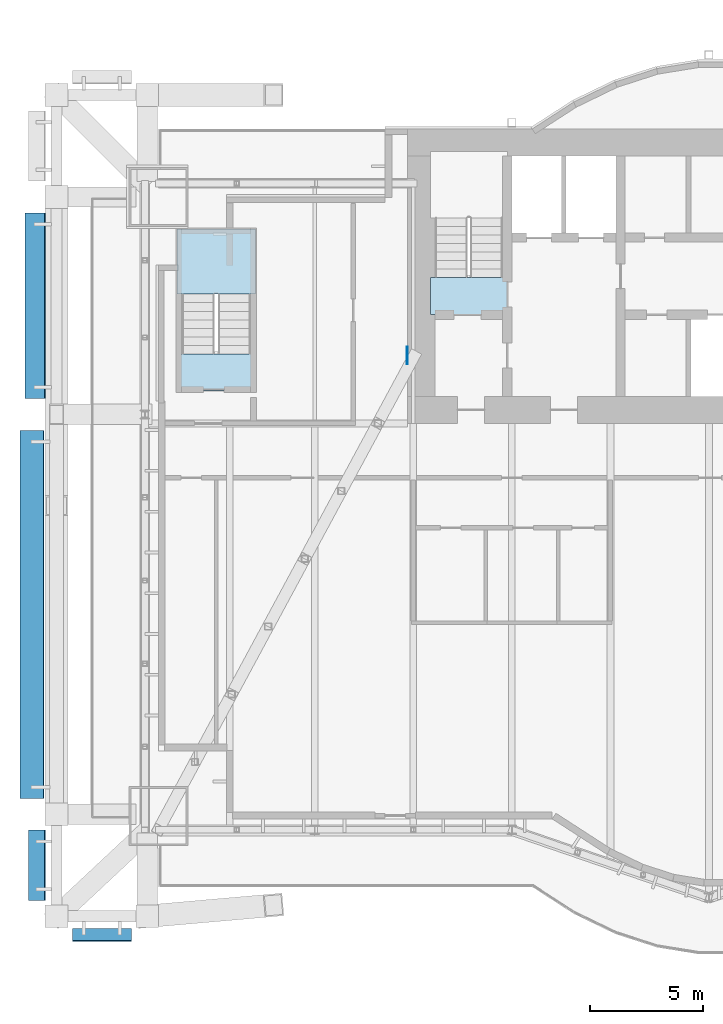
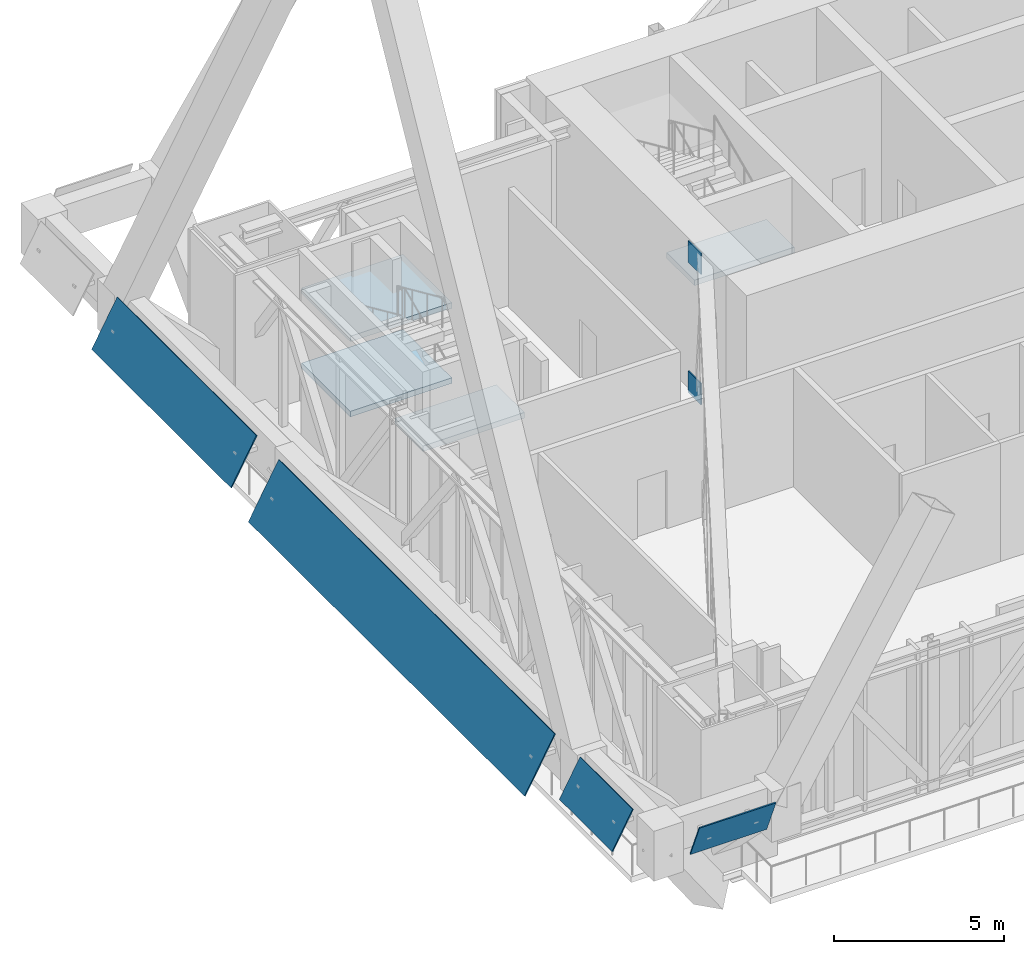
# One storey, part 19 of 30: 6 plates, 4 slabs, 2 elements without a shape of their own.
"""IFC4 building model written with IfcOpenShell, lengths in metres."""

from ifc_helpers import new_model, si_unit, direction, frame, origin, origin_2d, place, context, subcontext, project, spatial, polyline, rectangle, outline, extrude, material, layer, layer_set, type_object, element, aggregate, save


model = new_model("IFC4")

# Units and contexts
model_context = context("Model", 3, precision=1e-05, world=origin(), true_north=direction((0.0, 1.0)))
body_context = subcontext(model_context, "Body", "Model", "MODEL_VIEW")
ifc_project = project(units=[si_unit("LENGTHUNIT", "METRE"), si_unit("AREAUNIT", "SQUARE_METRE"), si_unit("VOLUMEUNIT", "CUBIC_METRE"), si_unit("PLANEANGLEUNIT", "RADIAN"), si_unit("MASSUNIT", "GRAM", prefix="KILO")], contexts=[model_context])

# Site, building, storey
site_placement = place(None, origin())
site = spatial("IfcSite", under=ifc_project, at=site_placement, CompositionType="ELEMENT")
building_placement = place(site_placement, origin())
building = spatial("IfcBuilding", under=site, at=building_placement, Name="Bicima Exchange Tower", CompositionType="ELEMENT")
storey_placement = place(building_placement, frame((0.0, 0.0, 185.5)))
storey = spatial("IfcBuildingStorey", under=building, at=storey_placement, Name="L41", CompositionType="ELEMENT", Elevation=185.5)

# Plates
ifc_material_1 = material(Name="Dark tinted spandrel glass", Category="glass")
ifc_layer_1 = layer(ifc_material_1, 0.0400390625)
ifc_layer_set_1 = layer_set([ifc_layer_1], Name="Dark tinted spandrel glass")
plate_type_1 = type_object("IfcPlateType", Name="Belt fascia glass panel 40", PredefinedType="SHEET", material=ifc_layer_set_1)
plate_1_placement = place(storey_placement, frame((-36.800048828125, -35.28662109375, 4.050048828125), z_axis=(0.0, 0.919715682457, 0.39258510344), x_axis=(1.0, 0.0, 0.0)))
element("IfcPlate", 1, at=plate_1_placement, inside=storey, type_object=plate_type_1, Name="Belt fascia glass panel", PredefinedType="SHEET", context=body_context, shape_type="SweptSolid", body=[
    extrude(outline(polyline([(0.0, 0.0), (2.60009765625, 0.0), (2.60009765625, -1.3917663048388182), (0.0, -1.3917663048388182), (0.0, 0.0)])), origin(), (0.0, 0.0, -1.0), 0.0400390625),
])
plate_2_placement = place(storey_placement, frame((-38.897216796875, -3.699951171875, 3.75), z_axis=(-0.876650248979, 0.0, 0.481128195978), x_axis=(0.0, -1.0, 0.0)))
element("IfcPlate", 2, at=plate_2_placement, inside=storey, type_object=plate_type_1, Name="Belt fascia glass panel", PredefinedType="SHEET", context=body_context, shape_type="SweptSolid", body=[
    extrude(outline(polyline([(0.0, 0.0), (8.199951171875, 0.0), (8.199951171875, 1.8024042391372048), (0.0, 1.8024042391372048), (0.0, 0.0)])), origin(), (0.0, 0.0, -1.0), 0.0400390625),
])
plate_3_placement = place(storey_placement, frame((-39.11181640625, -13.300048828125, 3.449951171875), z_axis=(-0.876674581874, 0.0, 0.481083857031), x_axis=(0.0, -1.0, 0.0)))
element("IfcPlate", 3, at=plate_3_placement, inside=storey, type_object=plate_type_1, Name="Belt fascia glass panel", PredefinedType="SHEET", context=body_context, shape_type="SweptSolid", body=[
    extrude(outline(polyline([(0.0, 0.0), (16.256591796875, 0.0), (16.256591796875, 2.1446121422914213), (0.0, 2.1446121422914213), (0.0, 0.0)])), origin(), (0.0, 0.0, -1.0), 0.0400390625),
])
plate_4_placement = place(storey_placement, frame((-38.732421875, -30.956787109375, 4.050048828125), z_axis=(-0.876685030348, 0.0, 0.481064816386), x_axis=(0.0, -1.0, 0.0)))
element("IfcPlate", 4, at=plate_4_placement, inside=storey, type_object=plate_type_1, Name="Belt fascia glass panel", PredefinedType="SHEET", context=body_context, shape_type="SweptSolid", body=[
    extrude(outline(polyline([(0.0, 0.0), (3.099853515625, 0.0), (3.099853515625, 1.460078879603219), (0.0, 1.460078879603219), (0.0, 0.0)])), origin(), (0.0, 0.0, -1.0), 0.0400390625),
])
ifc_material_2 = material(Name="Steel ASTM A572 Gr 50", Category="steel")
ifc_layer_2 = layer(ifc_material_2, 0.0400390625)
ifc_layer_set_2 = layer_set([ifc_layer_2], Name="Steel ASTM A572 Gr 50")
plate_type_2 = type_object("IfcPlateType", Name="Cast-in plate 40", PredefinedType="SHEET", material=ifc_layer_set_2)
for number, where, z_axis, x_axis, name in (
    (5, (-22.02001953125, -10.0, 4.5810546875), (0.0, 0.0, 1.0), (1.0, 0.0, 0.0), "Cast-in plate at core wall"),
    (6, (-22.02001953125, -10.0, -0.10009765625), (0.0, 0.0, 1.0), (1.0, 0.0, 0.0), "Cast-in plate at core wall"),
):
    element("IfcPlate", number, at=place(storey_placement, frame(where, z_axis=z_axis, x_axis=x_axis)), inside=storey, type_object=plate_type_2, Name=name, PredefinedType="SHEET", context=body_context, shape_type="SweptSolid", body=[
        extrude(rectangle(XDim=0.0400390625, YDim=0.754638671875, at=origin_2d()), origin(), (0.0, 0.0, 1.0), 0.76904296875),
    ])

# Stair, slab
ifc_material_3 = material(Name="Concrete C50/60", Category="concrete")
stair_type = type_object("IfcStairType", Name="Exit stair", PredefinedType="HALF_TURN_STAIR", material=ifc_material_3)
stair_1_placement = place(storey_placement, origin())
stair_1 = element("IfcStair", 7, at=stair_1_placement, inside=storey, type_object=stair_type, Name="L41 West exit stair", PredefinedType="HALF_TURN_STAIR")
ifc_layer_3 = layer(ifc_material_3, 0.199951171875)
ifc_layer_set_3 = layer_set([ifc_layer_3], Name="Concrete C50/60")
slab_type = type_object("IfcSlabType", Name="Stair landing slab", PredefinedType="LANDING", material=ifc_layer_set_3)
slab_1_placement = place(storey_placement, frame((0.0, 0.0, 2.5)))
slab_1 = element("IfcSlab", 8, at=slab_1_placement, type_object=slab_type, Name="ST-W landing 2", PredefinedType="LANDING", context=body_context, shape_type="SweptSolid", body=[
    extrude(outline(polyline([(-17.60009765625, -8.199951171875), (-17.60009765625, -6.550048828125), (-21.0, -6.550048828125), (-21.0, -8.199951171875), (-17.60009765625, -8.199951171875)])), origin(), (0.0, 0.0, 1.0), 0.199951171875),
])
aggregate(stair_1, [slab_1])

# Stair, slabs
stair_2_placement = place(storey_placement, origin())
stair_2 = element("IfcStair", 9, at=stair_2_placement, inside=storey, type_object=stair_type, Name="L41 West end exit stair", PredefinedType="HALF_TURN_STAIR")
slab_2_placement = place(storey_placement, frame((0.0, 0.0, 1.14990234375)))
slab_2 = element("IfcSlab", 10, at=slab_2_placement, type_object=slab_type, Name="ST-WW landing 1", PredefinedType="LANDING", context=body_context, shape_type="SweptSolid", body=[
    extrude(outline(polyline([(-28.72509765625, -7.294921875), (-28.72509765625, -4.425048828125), (-32.175048828125, -4.425048828125), (-32.175048828125, -7.294921875), (-28.72509765625, -7.294921875)])), origin(), (0.0, 0.0, 1.0), 0.2001953125),
])
slab_3_placement = place(storey_placement, frame((0.0, 0.0, 2.5)))
slab_3 = element("IfcSlab", 11, at=slab_3_placement, type_object=slab_type, Name="ST-WW landing 2", PredefinedType="LANDING", context=body_context, shape_type="SweptSolid", body=[
    extrude(outline(polyline([(-28.72509765625, -11.574951171875), (-28.72509765625, -9.925048828125), (-32.175048828125, -9.925048828125), (-32.175048828125, -11.574951171875), (-28.72509765625, -11.574951171875)])), origin(), (0.0, 0.0, 1.0), 0.199951171875),
])
slab_4_placement = place(storey_placement, frame((0.0, 0.0, 3.85009765625)))
slab_4 = element("IfcSlab", 12, at=slab_4_placement, type_object=slab_type, Name="ST-WW landing 3", PredefinedType="LANDING", context=body_context, shape_type="SweptSolid", body=[
    extrude(outline(polyline([(-28.72509765625, -7.294921875), (-28.72509765625, -4.425048828125), (-32.175048828125, -4.425048828125), (-32.175048828125, -7.294921875), (-28.72509765625, -7.294921875)])), origin(), (0.0, 0.0, 1.0), 0.199951171875),
])
aggregate(stair_2, [slab_2, slab_3, slab_4])

save(model, "model.ifc")
